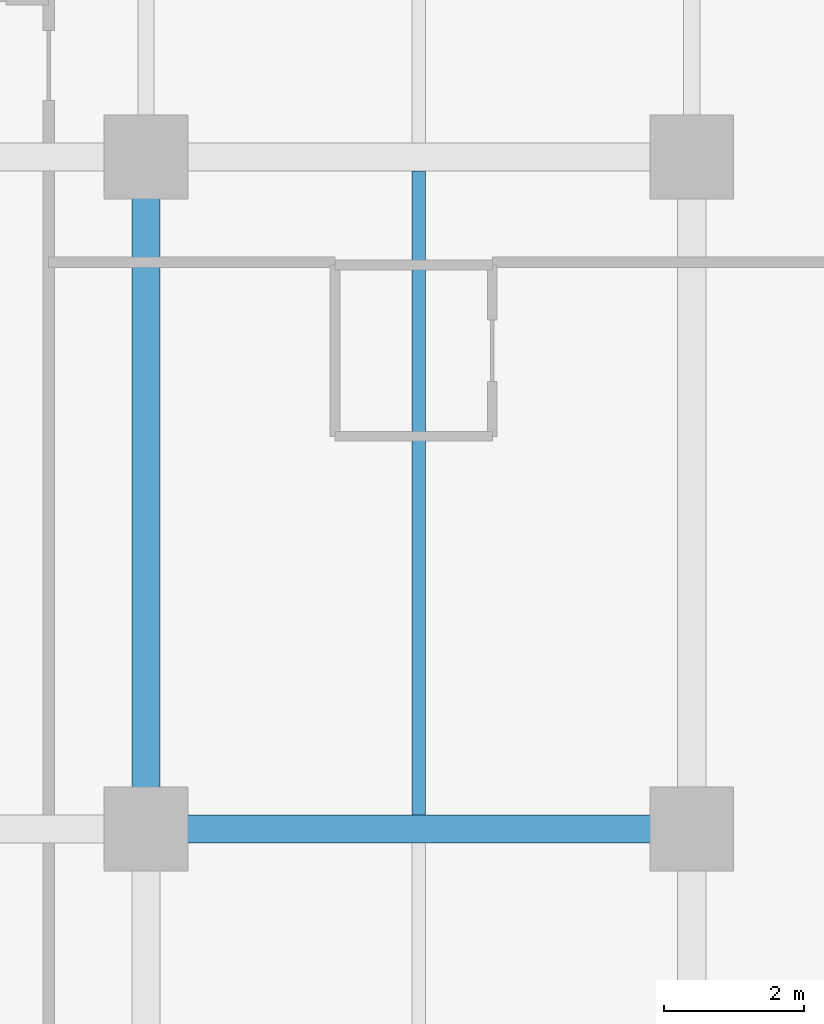
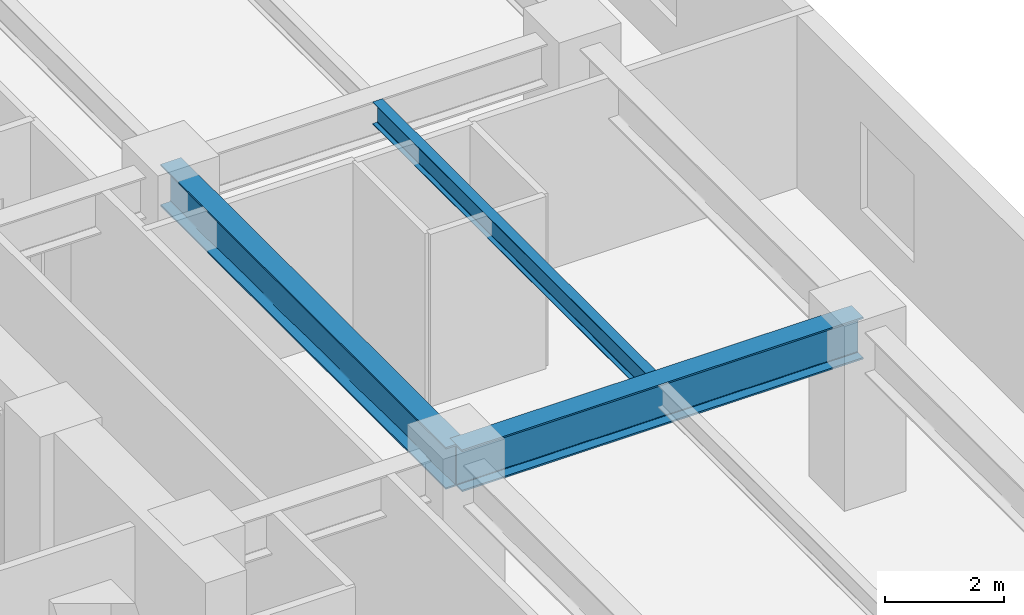
# One storey, part 2 of 12: 3 beams.
"""IFC4 building model written with IfcOpenShell, lengths in metres."""

from ifc_helpers import new_model, si_unit, direction, frame, origin, origin_2d, place, context, subcontext, project, spatial, i_section, extrude, material, material_profile, profile_set, type_object, element, save


model = new_model("IFC4")

# Units and contexts
model_context = context("Model", 3, precision=1e-05, world=origin(), true_north=direction((0.0, 1.0)))
body_context = subcontext(model_context, "Body", "Model", "MODEL_VIEW")
ifc_project = project(units=[si_unit("LENGTHUNIT", "METRE"), si_unit("AREAUNIT", "SQUARE_METRE"), si_unit("VOLUMEUNIT", "CUBIC_METRE"), si_unit("PLANEANGLEUNIT", "RADIAN"), si_unit("MASSUNIT", "GRAM", prefix="KILO")], contexts=[model_context])

# Site, building, storey
site_placement = place(None, origin())
site = spatial("IfcSite", under=ifc_project, at=site_placement, CompositionType="ELEMENT")
building_placement = place(site_placement, origin())
building = spatial("IfcBuilding", under=site, at=building_placement, Name="Kestravale Grand Hotel", CompositionType="ELEMENT")
storey_placement = place(building_placement, frame((0.0, 0.0, 80.39990234375)))
storey = spatial("IfcBuildingStorey", under=building, at=storey_placement, Name="L19", CompositionType="ELEMENT", Elevation=80.39990234375)

# Beams
ifc_material_1 = material(Name="Steel ASTM A992 Grade 50", Category="steel")
ifc_material_profile_1 = material_profile(ifc_material_1, i_section(OverallWidth=0.19091796875, OverallDepth=0.45703125, WebThickness=0.009033203125, FlangeThickness=0.014404296875, FilletRadius=0.015380859375, at=origin_2d()))
ifc_profile_set_1 = profile_set([ifc_material_profile_1], Name="Steel ASTM A992 Grade 50")
beam_type_1 = type_object("IfcBeamType", Name="B-FLR-JST18", PredefinedType="JOIST", material=ifc_profile_set_1)
beam_1_placement = place(storey_placement, frame((66.300048828125, 29.00048828125, 3.3115234375), z_axis=(0.0, 1.0, 0.0), x_axis=(-1.0, 0.0, 0.0)))
element("IfcBeam", 1, at=beam_1_placement, inside=storey, type_object=beam_type_1, Name="L19 floor joist 10-11/E-F #1", PredefinedType="JOIST", context=body_context, shape_type="SweptSolid", body=[
    extrude(i_section(OverallWidth=0.19091796875, OverallDepth=0.45703125, WebThickness=0.009033203125, FlangeThickness=0.014404296875, FilletRadius=0.015380859375, at=origin_2d()), origin(), (0.0, 0.0, 1.0), 9.198974609375),
])
ifc_material_2 = material(Name="Steel ASTM A992 Grade 50", Category="steel")
ifc_material_profile_2 = material_profile(ifc_material_2, i_section(OverallWidth=0.40087890625, OverallDepth=0.861083984375, WebThickness=0.019775390625, FlangeThickness=0.032470703125, FilletRadius=0.0234375, at=origin_2d()))
ifc_profile_set_2 = profile_set([ifc_material_profile_2], Name="Steel ASTM A992 Grade 50")
beam_type_2 = type_object("IfcBeamType", Name="B-GRD-W33", PredefinedType="BEAM", material=ifc_profile_set_2)
beam_2_placement = place(storey_placement, frame((62.39990234375, 28.800048828125, 3.109619140625), z_axis=(1.0, 0.0, 0.0), x_axis=(0.0, 1.0, 0.0)))
element("IfcBeam", 2, at=beam_2_placement, inside=storey, type_object=beam_type_2, Name="L19 girder E:10-11", PredefinedType="BEAM", context=body_context, shape_type="SweptSolid", body=[
    extrude(i_section(OverallWidth=0.40087890625, OverallDepth=0.861083984375, WebThickness=0.019775390625, FlangeThickness=0.032470703125, FilletRadius=0.0234375, at=origin_2d()), origin(), (0.0, 0.0, 1.0), 7.800048828125),
])
beam_3_placement = place(storey_placement, frame((62.39990234375, 28.800048828125, 3.109619140625), z_axis=(0.0, 1.0, 0.0), x_axis=(-1.0, 0.0, 0.0)))
element("IfcBeam", 3, at=beam_3_placement, inside=storey, type_object=beam_type_2, Name="L19 girder 10:E-F", PredefinedType="BEAM", context=body_context, shape_type="SweptSolid", body=[
    extrude(i_section(OverallWidth=0.40087890625, OverallDepth=0.861083984375, WebThickness=0.019775390625, FlangeThickness=0.032470703125, FilletRadius=0.0234375, at=origin_2d()), origin(), (0.0, 0.0, 1.0), 9.599853515625),
])

save(model, "model.ifc")
